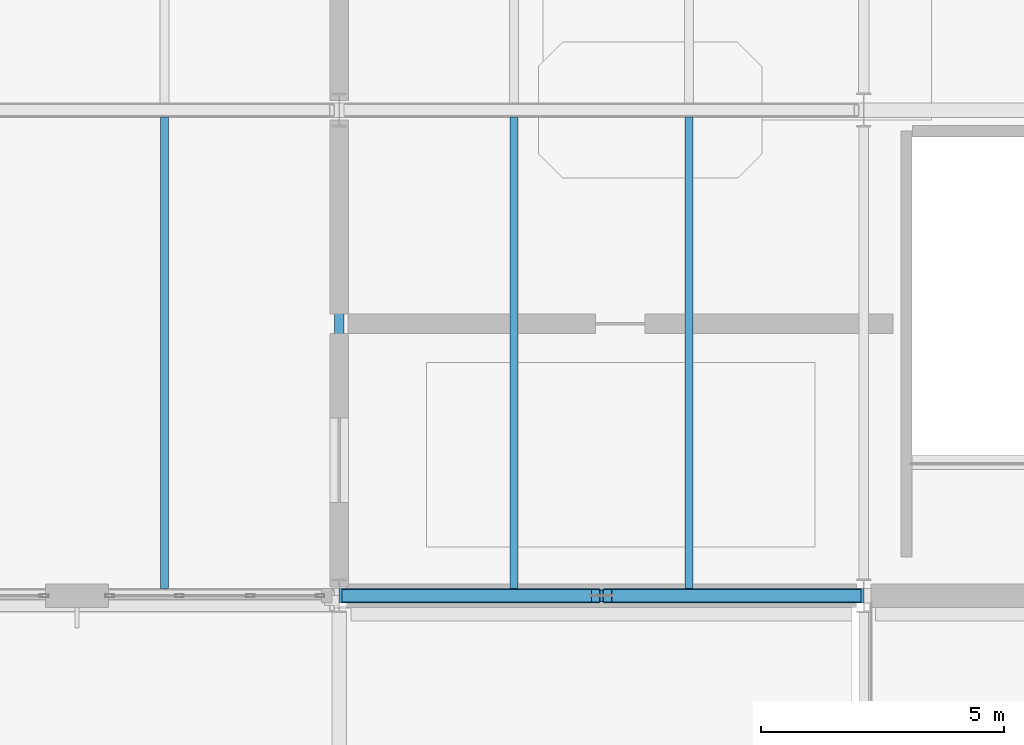
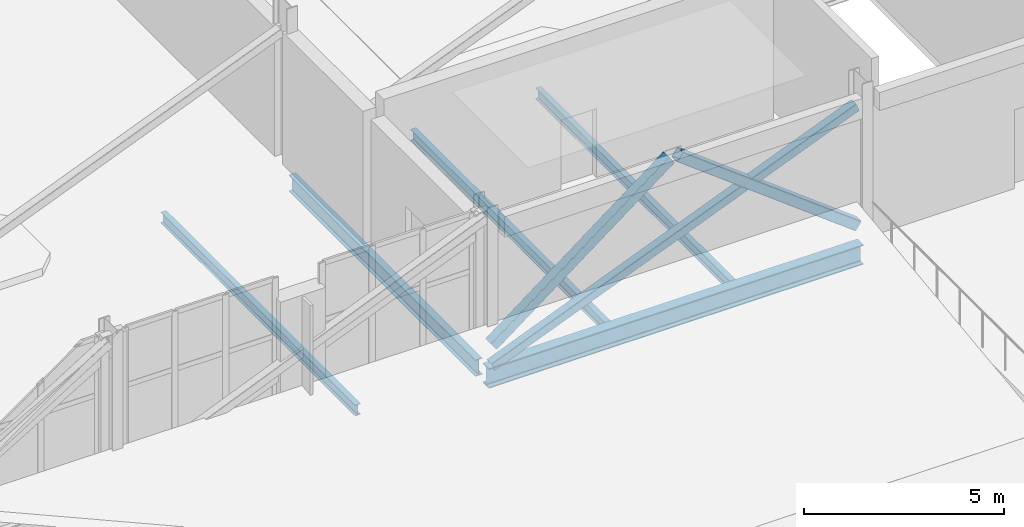
# One storey, part 17 of 100: 5 beams, 3 members.
"""IFC4 building model written with IfcOpenShell, lengths in metres."""

from ifc_helpers import new_model, si_unit, direction, frame, origin, origin_2d, place, context, subcontext, project, spatial, hollow_rectangle, i_section, extrude, material, material_profile, profile_set, type_object, element, save


model = new_model("IFC4")

# Units and contexts
model_context = context("Model", 3, precision=1e-05, world=origin(), true_north=direction((0.0, 1.0)))
body_context = subcontext(model_context, "Body", "Model", "MODEL_VIEW")
ifc_project = project(units=[si_unit("LENGTHUNIT", "METRE"), si_unit("AREAUNIT", "SQUARE_METRE"), si_unit("VOLUMEUNIT", "CUBIC_METRE"), si_unit("PLANEANGLEUNIT", "RADIAN"), si_unit("MASSUNIT", "GRAM", prefix="KILO")], contexts=[model_context])

# Site, building, storey
site_placement = place(None, origin())
site = spatial("IfcSite", under=ifc_project, at=site_placement, CompositionType="ELEMENT")
building_placement = place(site_placement, origin())
building = spatial("IfcBuilding", under=site, at=building_placement, Name="Tasgan Crest Museum", CompositionType="ELEMENT")
storey_placement = place(building_placement, frame((0.0, 0.0, 9.60009765625)))
storey = spatial("IfcBuildingStorey", under=building, at=storey_placement, Name="L02", CompositionType="ELEMENT", Elevation=9.60009765625)

# Beams
ifc_material_1 = material(Name="Steel S355K2", Category="steel")
ifc_material_profile_1 = material_profile(ifc_material_1, i_section(OverallWidth=0.300048828125, OverallDepth=0.60009765625, WebThickness=0.015380859375, FlangeThickness=0.030029296875, FilletRadius=0.027099609375, at=origin_2d()), Name="HEB 600")
ifc_profile_set_1 = profile_set([ifc_material_profile_1], Name="Steel S355K2")
beam_type_1 = type_object("IfcBeamType", Name="BM-CANT-G1", PredefinedType="BEAM", material=ifc_profile_set_1)
beam_1_placement = place(storey_placement, frame((21.6064453125, 40.0, -0.56005859375), z_axis=(1.0, 0.0, 0.0), x_axis=(0.0, 1.0, 0.0)))
element("IfcBeam", 1, at=beam_1_placement, inside=storey, type_object=beam_type_1, Name="Transfer back-span girder 2 BOT E", PredefinedType="BEAM", context=body_context, shape_type="SweptSolid", body=[
    extrude(i_section(OverallWidth=0.300048828125, OverallDepth=0.60009765625, WebThickness=0.015380859375, FlangeThickness=0.030029296875, FilletRadius=0.027099609375, at=origin_2d()), origin(), (0.0, 0.0, 1.0), 10.787109375),
])
ifc_material_2 = material(Name="Steel S355J2", Category="steel")
ifc_material_profile_2 = material_profile(ifc_material_2, i_section(OverallWidth=0.199951171875, OverallDepth=0.5, WebThickness=0.01025390625, FlangeThickness=0.01611328125, FilletRadius=0.02099609375, at=origin_2d()), Name="IPE 500")
ifc_profile_set_2 = profile_set([ifc_material_profile_2], Name="Steel S355J2")
beam_type_2 = type_object("IfcBeamType", Name="BM-G-IPE500", PredefinedType="BEAM", material=ifc_profile_set_2)
beam_2_placement = place(storey_placement, frame((21.60009765625, 40.344970703125, -0.510009765625), z_axis=(0.0, 1.0, 0.0), x_axis=(-1.0, 0.0, 0.0)))
element("IfcBeam", 2, at=beam_2_placement, inside=storey, type_object=beam_type_2, Name="Beam L02 3 40.0-50.0", PredefinedType="BEAM", context=body_context, shape_type="SweptSolid", body=[
    extrude(i_section(OverallWidth=0.199951171875, OverallDepth=0.5, WebThickness=0.01025390625, FlangeThickness=0.01611328125, FilletRadius=0.02099609375, at=origin_2d()), origin(), (0.0, 0.0, 1.0), 9.31005859375),
])
ifc_material_3 = material(Name="Steel S355J2", Category="steel")
ifc_material_profile_3 = material_profile(ifc_material_3, i_section(OverallWidth=0.159912109375, OverallDepth=0.330078125, WebThickness=0.007568359375, FlangeThickness=0.011474609375, FilletRadius=0.01806640625, at=origin_2d()), Name="IPE 330")
ifc_profile_set_3 = profile_set([ifc_material_profile_3], Name="Steel S355J2")
beam_type_3 = type_object("IfcBeamType", Name="BM-J-IPE330", PredefinedType="JOIST", material=ifc_profile_set_3)
for number, where, z_axis, x_axis, name in (
    (3, (18.0, 40.14501953125, -0.425048828125), (0.0, 1.0, 0.0), (-1.0, 0.0, 0.0), "Secondary joist L02 X=18.0 Y=40.0-50.0"),
    (4, (25.199951171875, 40.14501953125, -0.425048828125), (0.0, 1.0, 0.0), (-1.0, 0.0, 0.0), "Secondary joist L02 X=25.2 Y=40.0-50.0"),
    (5, (28.800048828125, 40.14501953125, -0.425048828125), (0.0, 1.0, 0.0), (-1.0, 0.0, 0.0), "Secondary joist L02 X=28.8 Y=40.0-50.0"),
):
    element("IfcBeam", number, at=place(storey_placement, frame(where, z_axis=z_axis, x_axis=x_axis)), inside=storey, type_object=beam_type_3, Name=name, PredefinedType="JOIST", context=body_context, shape_type="SweptSolid", body=[
        extrude(i_section(OverallWidth=0.159912109375, OverallDepth=0.330078125, WebThickness=0.007568359375, FlangeThickness=0.011474609375, FilletRadius=0.01806640625, at=origin_2d()), origin(), (0.0, 0.0, 1.0), 9.7099609375),
    ])

# Members
ifc_material_4 = material(Name="Steel S355K2", Category="steel")
ifc_material_profile_4 = material_profile(ifc_material_4, hollow_rectangle(XDim=0.300048828125, YDim=0.300048828125, WallThickness=0.01611328125, InnerFilletRadius=0.01611328125, OuterFilletRadius=0.031982421875, at=origin_2d()), Name="SHS 300x300x16")
ifc_profile_set_4 = profile_set([ifc_material_profile_4], Name="Steel S355K2")
member_type_1 = type_object("IfcMemberType", Name="MEM-BR-SHS300", PredefinedType="BRACE", material=ifc_profile_set_4)
for number, where, z_axis, x_axis, name in (
    (6, (21.75, 40.0, 0.349853515625), (0.796054864328, 0.0, 0.605224464955), (0.0, 1.0, 0.0), "Chevron brace L L02 E 21.6"),
    (7, (32.25, 40.0, 0.349853515625), (-0.796054864328, 0.0, 0.605224464955), (0.0, -1.0, 0.0), "Chevron brace R L02 E 32.4"),
):
    element("IfcMember", number, at=place(storey_placement, frame(where, z_axis=z_axis, x_axis=x_axis)), inside=storey, type_object=member_type_1, Name=name, PredefinedType="BRACE", context=body_context, shape_type="SweptSolid", body=[
        extrude(hollow_rectangle(XDim=0.300048828125, YDim=0.300048828125, WallThickness=0.01611328125, InnerFilletRadius=0.01611328125, OuterFilletRadius=0.031982421875, at=origin_2d()), origin(), (0.0, 0.0, 1.0), 6.444091796875),
    ])
ifc_material_5 = material(Name="Steel S355K2", Category="steel")
ifc_material_profile_5 = material_profile(ifc_material_5, hollow_rectangle(XDim=0.260009765625, YDim=0.260009765625, WallThickness=0.01416015625, InnerFilletRadius=0.01416015625, OuterFilletRadius=0.0283203125, at=origin_2d()), Name="SHS 260x260x14.2")
ifc_profile_set_5 = profile_set([ifc_material_profile_5], Name="Steel S355K2")
member_type_2 = type_object("IfcMemberType", Name="TR-CANT-DIAG", PredefinedType="BRACE", material=ifc_profile_set_5)
member_placement = place(storey_placement, frame((21.75, 40.0, -0.280029296875), z_axis=(0.927253929438, 0.0, 0.374433105296), x_axis=(0.0, 1.0, 0.0)))
element("IfcMember", 8, at=member_placement, inside=storey, type_object=member_type_2, Name="Transfer truss diagonal L02 E-3", PredefinedType="BRACE", context=body_context, shape_type="SweptSolid", body=[
    extrude(hollow_rectangle(XDim=0.260009765625, YDim=0.260009765625, WallThickness=0.01416015625, InnerFilletRadius=0.01416015625, OuterFilletRadius=0.0283203125, at=origin_2d()), origin(), (0.0, 0.0, 1.0), 11.32373046875),
])

save(model, "model.ifc")
